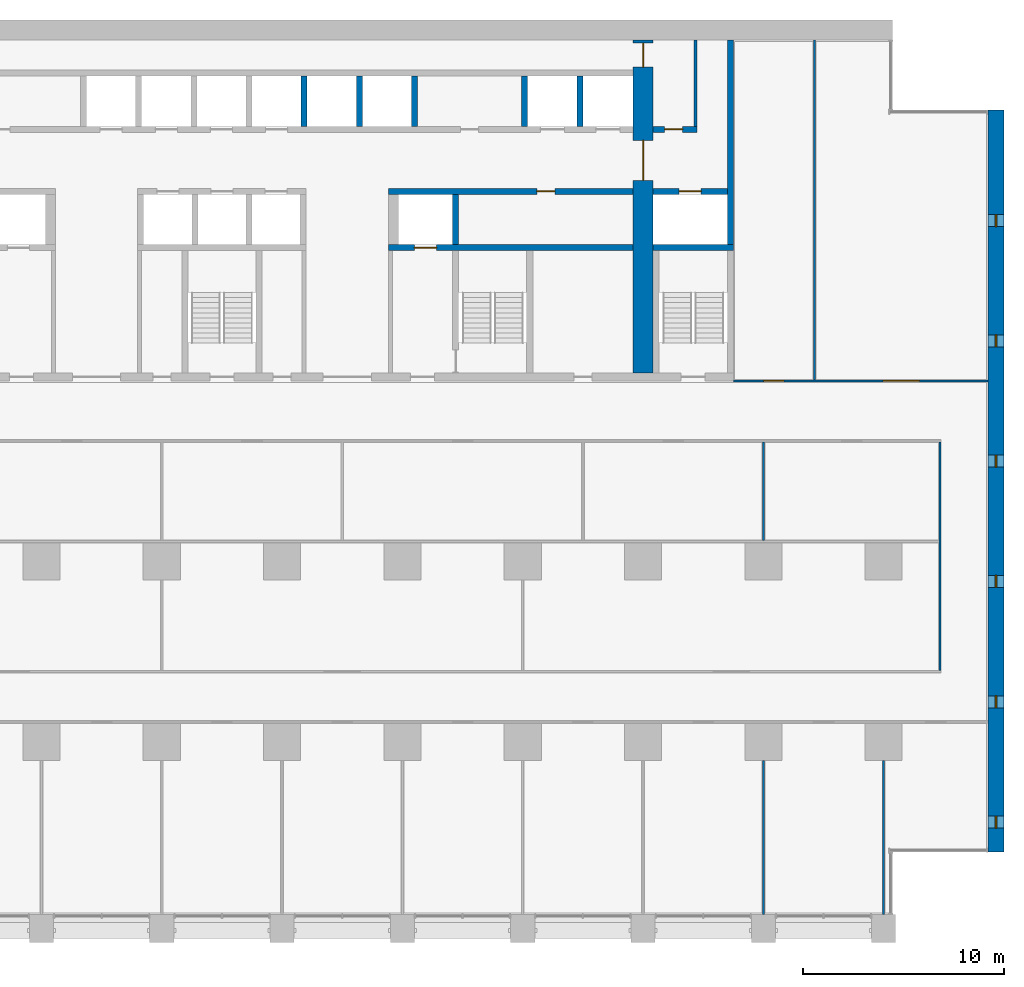
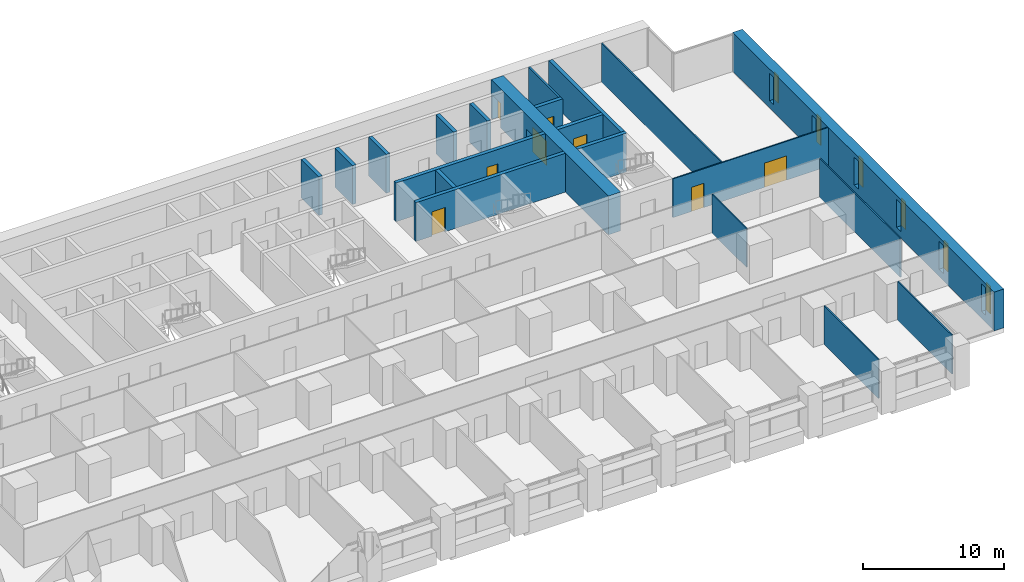
# One storey, part 13 of 18: 21 walls, 8 doors, 6 windows, 14 openings.
"""IFC4 building model written with IfcOpenShell, lengths in metres."""

from ifc_helpers import new_model, si_unit, direction, frame, frame_2d, origin, place, context, subcontext, project, spatial, rectangle, extrude, material, layer, layer_set, type_object, element, fill, save


model = new_model("IFC4")

# Units and contexts
model_context = context("Model", 3, precision=1e-05, world=origin(), true_north=direction((0.0, 1.0)))
body_context = subcontext(model_context, "Body", "Model", "MODEL_VIEW")
ifc_project = project(units=[si_unit("LENGTHUNIT", "METRE"), si_unit("AREAUNIT", "SQUARE_METRE"), si_unit("VOLUMEUNIT", "CUBIC_METRE"), si_unit("PLANEANGLEUNIT", "RADIAN"), si_unit("MASSUNIT", "GRAM", prefix="KILO")], contexts=[model_context])

# Site, building, storey
site_placement = place(None, origin())
site = spatial("IfcSite", under=ifc_project, at=site_placement, CompositionType="ELEMENT")
building_placement = place(site_placement, origin())
building = spatial("IfcBuilding", under=site, at=building_placement, Name="Calvaro Tower", CompositionType="ELEMENT")
storey_placement = place(building_placement, frame((0.0, 0.0, 26.25)))
storey = spatial("IfcBuildingStorey", under=building, at=storey_placement, Name="L05", CompositionType="ELEMENT", Elevation=26.25)

# Wall
ifc_material_1 = material(Name="Blockwork partition", Category="masonry")
ifc_layer_1 = layer(ifc_material_1, 0.14990234375)
ifc_layer_set_1 = layer_set([ifc_layer_1], Name="Blockwork partition")
wall_type_1 = type_object("IfcWallType", Name="Core partition 150 REI 120", PredefinedType="PARTITIONING", material=ifc_layer_set_1)
wall_1_placement = place(storey_placement, frame((62.625, 40.699951171875, 0.0), z_axis=(0.0, 0.0, 1.0), x_axis=(0.0, 1.0, 0.0)))
element("IfcWall", 1, at=wall_1_placement, inside=storey, type_object=wall_type_1, Name="Core partition", PredefinedType="PARTITIONING", context=body_context, shape_type="SweptSolid", body=[
    extrude(rectangle(XDim=4.300048828125, YDim=0.14990234375, at=frame_2d((2.14990234375, 0.0))), origin(), (0.0, 0.0, 1.0), 3.35009765625),
])

# Wall, opening, door
ifc_material_2 = material(Name="Blockwork partition", Category="masonry")
ifc_layer_2 = layer(ifc_material_2, 0.300048828125)
ifc_layer_set_2 = layer_set([ifc_layer_2], Name="Blockwork partition")
wall_type_2 = type_object("IfcWallType", Name="Core partition 300 REI 120", PredefinedType="PARTITIONING", material=ifc_layer_set_2)
wall_2_placement = place(storey_placement, frame((60.5, 40.550048828125, 0.0), z_axis=(0.0, 0.0, 1.0), x_axis=(1.0, 0.0, 0.0)))
wall_2 = element("IfcWall", 2, at=wall_2_placement, inside=storey, type_object=wall_type_2, Name="Core partition", PredefinedType="PARTITIONING", context=body_context, shape_type="SweptSolid", body=[
    extrude(rectangle(XDim=2.199951171875, YDim=0.300048828125, at=frame_2d((1.10009765625, 0.0))), origin(), (0.0, 0.0, 1.0), 3.35009765625),
])
opening_1_placement = place(wall_2_placement, frame((0.574951171875, 0.0, 0.0)))
opening_1 = element("IfcOpeningElement", 3, at=opening_1_placement, cuts=wall_2, Name="Opening RD9C", PredefinedType="OPENING", context=body_context, shape_type="SweptSolid", body=[
    extrude(rectangle(XDim=0.89990234375, YDim=2.10009765625, at=frame_2d((0.449951171875, 1.050048828125))), frame((0.0, 0.159912109375, 0.0), z_axis=(0.0, -1.0, 0.0), x_axis=(1.0, 0.0, 0.0)), (0.0, 0.0, 1.0), 0.320068359375),
])
ifc_material_3 = material(Name="Steel door set", Category="steel")
door_type_1 = type_object("IfcDoorType", Name="Room door 900 FD30", OperationType="SINGLE_SWING_LEFT", PredefinedType="DOOR", material=ifc_material_3)
door_1_placement = place(opening_1_placement, origin())
door_1 = element("IfcDoor", 4, at=door_1_placement, inside=storey, type_object=door_type_1, Name="Room door", OperationType="SINGLE_SWING_LEFT", OverallHeight=2.10009765625, OverallWidth=0.89990234375, PredefinedType="DOOR", context=body_context, shape_type="SweptSolid", body=[
    extrude(rectangle(XDim=0.89990234375, YDim=2.10009765625, at=frame_2d((0.449951171875, 1.050048828125))), frame((0.0, 0.02490234375, 0.0), z_axis=(0.0, -1.0, 0.0), x_axis=(1.0, 0.0, 0.0)), (0.0, 0.0, 1.0), 0.050048828125),
])
fill(opening_1, door_1)

# Wall, openings, doors
ifc_material_4 = material(Name="Concrete C80/95", Category="concrete")
ifc_layer_3 = layer(ifc_material_4, 1.0)
ifc_layer_set_3 = layer_set([ifc_layer_3], Name="Concrete C80/95")
wall_type_3 = type_object("IfcWallType", Name="Core wall C80/95 1000", PredefinedType="SHEAR", material=ifc_layer_set_3)
wall_3_placement = place(storey_placement, frame((60.0, 28.39990234375, 0.0), z_axis=(0.0, 0.0, 1.0), x_axis=(0.0, 1.0, 0.0)))
wall_3 = element("IfcWall", 5, at=wall_3_placement, inside=storey, type_object=wall_type_3, Name="Core wall, cross shear wall", PredefinedType="SHEAR", context=body_context, shape_type="SweptSolid", body=[
    extrude(rectangle(XDim=16.60009765625, YDim=1.0, at=frame_2d((8.300048828125, 0.0))), origin(), (0.0, 0.0, 1.0), 3.35009765625),
])
opening_2_placement = place(wall_3_placement, frame((9.60009765625, 0.0, 0.0)))
opening_2 = element("IfcOpeningElement", 6, at=opening_2_placement, cuts=wall_3, Name="Opening DD20D", PredefinedType="OPENING", context=body_context, shape_type="SweptSolid", body=[
    extrude(rectangle(XDim=2.0, YDim=2.10009765625, at=frame_2d((1.0, 1.050048828125))), frame((0.0, 0.510009765625, 0.0), z_axis=(0.0, -1.0, 0.0), x_axis=(1.0, 0.0, 0.0)), (0.0, 0.0, 1.0), 1.02001953125),
])
opening_3_placement = place(wall_3_placement, frame((15.25, 0.0, 0.0)))
opening_3 = element("IfcOpeningElement", 7, at=opening_3_placement, cuts=wall_3, Name="Opening FD12C", PredefinedType="OPENING", context=body_context, shape_type="SweptSolid", body=[
    extrude(rectangle(XDim=1.199951171875, YDim=2.10009765625, at=frame_2d((0.60009765625, 1.050048828125))), frame((0.0, 0.510009765625, 0.0), z_axis=(0.0, -1.0, 0.0), x_axis=(1.0, 0.0, 0.0)), (0.0, 0.0, 1.0), 1.02001953125),
])
ifc_material_5 = material(Name="Steel door set", Category="steel")
door_type_2 = type_object("IfcDoorType", Name="Fire door 1200 FD30", OperationType="SINGLE_SWING_LEFT", PredefinedType="DOOR", material=ifc_material_5)
door_2_placement = place(opening_3_placement, origin())
door_2 = element("IfcDoor", 8, at=door_2_placement, inside=storey, type_object=door_type_2, Name="Fire door", OperationType="SINGLE_SWING_LEFT", OverallHeight=2.10009765625, OverallWidth=1.199951171875, PredefinedType="DOOR", context=body_context, shape_type="SweptSolid", body=[
    extrude(rectangle(XDim=1.199951171875, YDim=2.10009765625, at=frame_2d((0.60009765625, 1.050048828125))), frame((0.0, 0.02490234375, 0.0), z_axis=(0.0, -1.0, 0.0), x_axis=(1.0, 0.0, 0.0)), (0.0, 0.0, 1.0), 0.050048828125),
])
fill(opening_3, door_2)
ifc_material_6 = material(Name="Steel door set", Category="steel")
door_type_3 = type_object("IfcDoorType", Name="Lobby double door 2000 FD30S", OperationType="DOUBLE_DOOR_SINGLE_SWING", PredefinedType="DOOR", material=ifc_material_6)
door_3_placement = place(opening_2_placement, origin())
door_3 = element("IfcDoor", 9, at=door_3_placement, inside=storey, type_object=door_type_3, Name="Lobby double door", OperationType="DOUBLE_DOOR_SINGLE_SWING", OverallHeight=2.10009765625, OverallWidth=2.0, PredefinedType="DOOR", context=body_context, shape_type="SweptSolid", body=[
    extrude(rectangle(XDim=2.0, YDim=2.10009765625, at=frame_2d((1.0, 1.050048828125))), frame((0.0, 0.02490234375, 0.0), z_axis=(0.0, -1.0, 0.0), x_axis=(1.0, 0.0, 0.0)), (0.0, 0.0, 1.0), 0.050048828125),
])
fill(opening_2, door_3)

# Wall
ifc_material_7 = material(Name="Concrete C80/95", Category="concrete")
ifc_layer_4 = layer(ifc_material_7, 0.300048828125)
ifc_layer_set_4 = layer_set([ifc_layer_4], Name="Concrete C80/95")
wall_type_4 = type_object("IfcWallType", Name="Core wall C80/95 300", PredefinedType="SHEAR", material=ifc_layer_set_4)
wall_4_placement = place(storey_placement, frame((64.35009765625, 34.800048828125, 0.0), z_axis=(0.0, 0.0, 1.0), x_axis=(0.0, 1.0, 0.0)))
element("IfcWall", 10, at=wall_4_placement, inside=storey, type_object=wall_type_4, Name="Core wall, boundary", PredefinedType="SHEAR", context=body_context, shape_type="SweptSolid", body=[
    extrude(rectangle(XDim=10.199951171875, YDim=0.300048828125, at=frame_2d((5.10009765625, 0.0))), origin(), (0.0, 0.0, 1.0), 3.35009765625),
])

# Wall, opening, door
wall_5_placement = place(storey_placement, frame((47.300048828125, 34.64990234375, 0.0), z_axis=(0.0, 0.0, 1.0), x_axis=(1.0, 0.0, 0.0)))
wall_5 = element("IfcWall", 11, at=wall_5_placement, inside=storey, type_object=wall_type_4, Name="Core wall, lift shaft", PredefinedType="SHEAR", context=body_context, shape_type="SweptSolid", body=[
    extrude(rectangle(XDim=12.199951171875, YDim=0.300048828125, at=frame_2d((6.10009765625, 0.0))), origin(), (0.0, 0.0, 1.0), 3.35009765625),
])
opening_4_placement = place(wall_5_placement, frame((1.300048828125, 0.0, 0.0)))
opening_4 = element("IfcOpeningElement", 12, at=opening_4_placement, cuts=wall_5, Name="Opening FF2", PredefinedType="OPENING", context=body_context, shape_type="SweptSolid", body=[
    extrude(rectangle(XDim=1.10009765625, YDim=2.10009765625, at=frame_2d((0.550048828125, 1.050048828125))), frame((0.0, 0.159912109375, 0.0), z_axis=(0.0, -1.0, 0.0), x_axis=(1.0, 0.0, 0.0)), (0.0, 0.0, 1.0), 0.320068359375),
])
ifc_material_8 = material(Name="Stainless steel", Category="steel")
door_type_4 = type_object("IfcDoorType", Name="Landing door 1100 E 60", OperationType="SLIDING_TO_LEFT", PredefinedType="DOOR", material=ifc_material_8)
door_4_placement = place(opening_4_placement, origin())
door_4 = element("IfcDoor", 13, at=door_4_placement, inside=storey, type_object=door_type_4, Name="Landing door FF2", OperationType="SLIDING_TO_LEFT", OverallHeight=2.10009765625, OverallWidth=1.10009765625, PredefinedType="DOOR", context=body_context, shape_type="SweptSolid", body=[
    extrude(rectangle(XDim=1.10009765625, YDim=2.10009765625, at=frame_2d((0.550048828125, 1.050048828125))), frame((0.0, 0.02490234375, 0.0), z_axis=(0.0, -1.0, 0.0), x_axis=(1.0, 0.0, 0.0)), (0.0, 0.0, 1.0), 0.050048828125),
])
fill(opening_4, door_4)

# Wall
wall_6_placement = place(storey_placement, frame((60.5, 34.64990234375, 0.0), z_axis=(0.0, 0.0, 1.0), x_axis=(1.0, 0.0, 0.0)))
element("IfcWall", 14, at=wall_6_placement, inside=storey, type_object=wall_type_4, Name="Core wall, lift shaft", PredefinedType="SHEAR", context=body_context, shape_type="SweptSolid", body=[
    extrude(rectangle(XDim=4.0, YDim=0.300048828125, at=frame_2d((2.0, 0.0))), origin(), (0.0, 0.0, 1.0), 3.35009765625),
])

# Wall, opening, door
wall_7_placement = place(storey_placement, frame((59.5, 37.449951171875, 0.0), z_axis=(0.0, 0.0, 1.0), x_axis=(-1.0, 0.0, 0.0)))
wall_7 = element("IfcWall", 15, at=wall_7_placement, inside=storey, type_object=wall_type_4, Name="Core wall, bay", PredefinedType="SHEAR", context=body_context, shape_type="SweptSolid", body=[
    extrude(rectangle(XDim=12.199951171875, YDim=0.300048828125, at=frame_2d((6.10009765625, 0.0))), origin(), (0.0, 0.0, 1.0), 3.35009765625),
])
opening_5_placement = place(wall_7_placement, frame((3.89990234375, 0.0, 0.0)))
opening_5 = element("IfcOpeningElement", 16, at=opening_5_placement, cuts=wall_7, Name="Opening RD9E", PredefinedType="OPENING", context=body_context, shape_type="SweptSolid", body=[
    extrude(rectangle(XDim=0.89990234375, YDim=2.10009765625, at=frame_2d((0.449951171875, 1.050048828125))), frame((0.0, 0.159912109375, 0.0), z_axis=(0.0, -1.0, 0.0), x_axis=(1.0, 0.0, 0.0)), (0.0, 0.0, 1.0), 0.320068359375),
])
ifc_material_9 = material(Name="Steel door set", Category="steel")
door_type_5 = type_object("IfcDoorType", Name="Room door 900 FD60", OperationType="SINGLE_SWING_LEFT", PredefinedType="DOOR", material=ifc_material_9)
door_5_placement = place(opening_5_placement, origin())
door_5 = element("IfcDoor", 17, at=door_5_placement, inside=storey, type_object=door_type_5, Name="Room door", OperationType="SINGLE_SWING_RIGHT", OverallHeight=2.10009765625, OverallWidth=0.89990234375, PredefinedType="DOOR", context=body_context, shape_type="SweptSolid", body=[
    extrude(rectangle(XDim=0.89990234375, YDim=2.10009765625, at=frame_2d((0.449951171875, 1.050048828125))), frame((0.0, 0.02490234375, 0.0), z_axis=(0.0, -1.0, 0.0), x_axis=(1.0, 0.0, 0.0)), (0.0, 0.0, 1.0), 0.050048828125),
])
fill(opening_5, door_5)

wall_8_placement = place(storey_placement, frame((60.5, 37.449951171875, 0.0), z_axis=(0.0, 0.0, 1.0), x_axis=(1.0, 0.0, 0.0)))
wall_8 = element("IfcWall", 18, at=wall_8_placement, inside=storey, type_object=wall_type_4, Name="Core wall, lift shaft", PredefinedType="SHEAR", context=body_context, shape_type="SweptSolid", body=[
    extrude(rectangle(XDim=3.699951171875, YDim=0.300048828125, at=frame_2d((1.85009765625, 0.0))), origin(), (0.0, 0.0, 1.0), 3.35009765625),
])
opening_6_placement = place(wall_8_placement, frame((1.300048828125, 0.0, 0.0)))
opening_6 = element("IfcOpeningElement", 19, at=opening_6_placement, cuts=wall_8, Name="Opening FF3", PredefinedType="OPENING", context=body_context, shape_type="SweptSolid", body=[
    extrude(rectangle(XDim=1.10009765625, YDim=2.10009765625, at=frame_2d((0.550048828125, 1.050048828125))), frame((0.0, 0.159912109375, 0.0), z_axis=(0.0, -1.0, 0.0), x_axis=(1.0, 0.0, 0.0)), (0.0, 0.0, 1.0), 0.320068359375),
])
door_6_placement = place(opening_6_placement, origin())
door_6 = element("IfcDoor", 20, at=door_6_placement, inside=storey, type_object=door_type_4, Name="Landing door FF3", OperationType="SLIDING_TO_LEFT", OverallHeight=2.10009765625, OverallWidth=1.10009765625, PredefinedType="DOOR", context=body_context, shape_type="SweptSolid", body=[
    extrude(rectangle(XDim=1.10009765625, YDim=2.10009765625, at=frame_2d((0.550048828125, 1.050048828125))), frame((0.0, 0.02490234375, 0.0), z_axis=(0.0, -1.0, 0.0), x_axis=(1.0, 0.0, 0.0)), (0.0, 0.0, 1.0), 0.050048828125),
])
fill(opening_6, door_6)

# Walls
for number, where, z_axis, x_axis, name in (
    (21, (50.64990234375, 34.800048828125, 0.0), (0.0, 0.0, 1.0), (0.0, 1.0, 0.0), "Core wall, lift shaft"),
    (22, (43.10009765625, 40.699951171875, 0.0), (0.0, 0.0, 1.0), (0.0, 1.0, 0.0), "Core wall, lift shaft"),
    (23, (45.85009765625, 40.699951171875, 0.0), (0.0, 0.0, 1.0), (0.0, 1.0, 0.0), "Core wall, lift shaft"),
    (24, (48.60009765625, 40.699951171875, 0.0), (0.0, 0.0, 1.0), (0.0, 1.0, 0.0), "Core wall, lift shaft"),
    (25, (54.10009765625, 40.699951171875, 0.0), (0.0, 0.0, 1.0), (0.0, 1.0, 0.0), "Core wall, lift shaft"),
    (26, (56.85009765625, 40.699951171875, 0.0), (0.0, 0.0, 1.0), (0.0, 1.0, 0.0), "Core wall, lift shaft"),
):
    element("IfcWall", number, at=place(storey_placement, frame(where, z_axis=z_axis, x_axis=x_axis)), inside=storey, type_object=wall_type_4, Name=name, PredefinedType="SHEAR", context=body_context, shape_type="SweptSolid", body=[
        extrude(rectangle(XDim=2.5, YDim=0.300048828125, at=frame_2d((1.25, 0.0))), origin(), (0.0, 0.0, 1.0), 3.35009765625),
    ])

# Wall, openings, windows
ifc_material_10 = material(Name="Concrete C80/95", Category="concrete")
ifc_layer_5 = layer(ifc_material_10, 0.800048828125)
ifc_layer_set_5 = layer_set([ifc_layer_5], Name="Concrete C80/95")
wall_type_5 = type_object("IfcWallType", Name="End wall 800 C80/95", PredefinedType="SHEAR", material=ifc_layer_set_5)
wall_9_placement = place(storey_placement, frame((77.60009765625, 4.5, 0.0), z_axis=(0.0, 0.0, 1.0), x_axis=(0.0, 1.0, 0.0)))
wall_9 = element("IfcWall", 27, at=wall_9_placement, inside=storey, type_object=wall_type_5, Name="End shear wall", PredefinedType="SHEAR", context=body_context, shape_type="SweptSolid", body=[
    extrude(rectangle(XDim=37.0, YDim=0.800048828125, at=frame_2d((18.5, 0.0))), origin(), (0.0, 0.0, 1.0), 3.35009765625),
])
opening_7_placement = place(wall_9_placement, frame((1.199951171875, 0.0, 0.60009765625)))
opening_7 = element("IfcOpeningElement", 28, at=opening_7_placement, cuts=wall_9, Name="Opening WE01", PredefinedType="OPENING", context=body_context, shape_type="SweptSolid", body=[
    extrude(rectangle(XDim=0.60009765625, YDim=2.39990234375, at=frame_2d((0.300048828125, 1.199951171875))), frame((0.0, 0.409912109375, 0.0), z_axis=(0.0, -1.0, 0.0), x_axis=(1.0, 0.0, 0.0)), (0.0, 0.0, 1.0), 0.820068359375),
])
opening_8_placement = place(wall_9_placement, frame((7.199951171875, 0.0, 0.60009765625)))
opening_8 = element("IfcOpeningElement", 29, at=opening_8_placement, cuts=wall_9, Name="Opening WE02", PredefinedType="OPENING", context=body_context, shape_type="SweptSolid", body=[
    extrude(rectangle(XDim=0.60009765625, YDim=2.39990234375, at=frame_2d((0.300048828125, 1.199951171875))), frame((0.0, 0.409912109375, 0.0), z_axis=(0.0, -1.0, 0.0), x_axis=(1.0, 0.0, 0.0)), (0.0, 0.0, 1.0), 0.820068359375),
])
opening_9_placement = place(wall_9_placement, frame((13.199951171875, 0.0, 0.60009765625)))
opening_9 = element("IfcOpeningElement", 30, at=opening_9_placement, cuts=wall_9, Name="Opening WE03", PredefinedType="OPENING", context=body_context, shape_type="SweptSolid", body=[
    extrude(rectangle(XDim=0.60009765625, YDim=2.39990234375, at=frame_2d((0.300048828125, 1.199951171875))), frame((0.0, 0.409912109375, 0.0), z_axis=(0.0, -1.0, 0.0), x_axis=(1.0, 0.0, 0.0)), (0.0, 0.0, 1.0), 0.820068359375),
])
opening_10_placement = place(wall_9_placement, frame((19.199951171875, 0.0, 0.60009765625)))
opening_10 = element("IfcOpeningElement", 31, at=opening_10_placement, cuts=wall_9, Name="Opening WE04", PredefinedType="OPENING", context=body_context, shape_type="SweptSolid", body=[
    extrude(rectangle(XDim=0.60009765625, YDim=2.39990234375, at=frame_2d((0.300048828125, 1.199951171875))), frame((0.0, 0.409912109375, 0.0), z_axis=(0.0, -1.0, 0.0), x_axis=(1.0, 0.0, 0.0)), (0.0, 0.0, 1.0), 0.820068359375),
])
opening_11_placement = place(wall_9_placement, frame((25.199951171875, 0.0, 0.60009765625)))
opening_11 = element("IfcOpeningElement", 32, at=opening_11_placement, cuts=wall_9, Name="Opening WE05", PredefinedType="OPENING", context=body_context, shape_type="SweptSolid", body=[
    extrude(rectangle(XDim=0.60009765625, YDim=2.39990234375, at=frame_2d((0.300048828125, 1.199951171875))), frame((0.0, 0.409912109375, 0.0), z_axis=(0.0, -1.0, 0.0), x_axis=(1.0, 0.0, 0.0)), (0.0, 0.0, 1.0), 0.820068359375),
])
opening_12_placement = place(wall_9_placement, frame((31.199951171875, 0.0, 0.60009765625)))
opening_12 = element("IfcOpeningElement", 33, at=opening_12_placement, cuts=wall_9, Name="Opening WE06", PredefinedType="OPENING", context=body_context, shape_type="SweptSolid", body=[
    extrude(rectangle(XDim=0.60009765625, YDim=2.39990234375, at=frame_2d((0.300048828125, 1.199951171875))), frame((0.0, 0.409912109375, 0.0), z_axis=(0.0, -1.0, 0.0), x_axis=(1.0, 0.0, 0.0)), (0.0, 0.0, 1.0), 0.820068359375),
])
ifc_material_11 = material(Name="Glass", Category="glass")
window_type = type_object("IfcWindowType", Name="Slit window 600 x 2400", PartitioningType="SINGLE_PANEL", PredefinedType="WINDOW", material=ifc_material_11)
window_1_placement = place(opening_7_placement, origin())
window_1 = element("IfcWindow", 34, at=window_1_placement, inside=storey, type_object=window_type, Name="Window WE01", OverallHeight=2.39990234375, OverallWidth=0.60009765625, PartitioningType="SINGLE_PANEL", PredefinedType="WINDOW", context=body_context, shape_type="SweptSolid", body=[
    extrude(rectangle(XDim=0.60009765625, YDim=2.39990234375, at=frame_2d((0.300048828125, 1.199951171875))), frame((0.0, 0.030029296875, 0.0), z_axis=(0.0, -1.0, 0.0), x_axis=(1.0, 0.0, 0.0)), (0.0, 0.0, 1.0), 0.06005859375),
])
fill(opening_7, window_1)
window_2_placement = place(opening_8_placement, origin())
window_2 = element("IfcWindow", 35, at=window_2_placement, inside=storey, type_object=window_type, Name="Window WE02", OverallHeight=2.39990234375, OverallWidth=0.60009765625, PartitioningType="SINGLE_PANEL", PredefinedType="WINDOW", context=body_context, shape_type="SweptSolid", body=[
    extrude(rectangle(XDim=0.60009765625, YDim=2.39990234375, at=frame_2d((0.300048828125, 1.199951171875))), frame((0.0, 0.030029296875, 0.0), z_axis=(0.0, -1.0, 0.0), x_axis=(1.0, 0.0, 0.0)), (0.0, 0.0, 1.0), 0.06005859375),
])
fill(opening_8, window_2)
window_3_placement = place(opening_9_placement, origin())
window_3 = element("IfcWindow", 36, at=window_3_placement, inside=storey, type_object=window_type, Name="Window WE03", OverallHeight=2.39990234375, OverallWidth=0.60009765625, PartitioningType="SINGLE_PANEL", PredefinedType="WINDOW", context=body_context, shape_type="SweptSolid", body=[
    extrude(rectangle(XDim=0.60009765625, YDim=2.39990234375, at=frame_2d((0.300048828125, 1.199951171875))), frame((0.0, 0.030029296875, 0.0), z_axis=(0.0, -1.0, 0.0), x_axis=(1.0, 0.0, 0.0)), (0.0, 0.0, 1.0), 0.06005859375),
])
fill(opening_9, window_3)
window_4_placement = place(opening_10_placement, origin())
window_4 = element("IfcWindow", 37, at=window_4_placement, inside=storey, type_object=window_type, Name="Window WE04", OverallHeight=2.39990234375, OverallWidth=0.60009765625, PartitioningType="SINGLE_PANEL", PredefinedType="WINDOW", context=body_context, shape_type="SweptSolid", body=[
    extrude(rectangle(XDim=0.60009765625, YDim=2.39990234375, at=frame_2d((0.300048828125, 1.199951171875))), frame((0.0, 0.030029296875, 0.0), z_axis=(0.0, -1.0, 0.0), x_axis=(1.0, 0.0, 0.0)), (0.0, 0.0, 1.0), 0.06005859375),
])
fill(opening_10, window_4)
window_5_placement = place(opening_11_placement, origin())
window_5 = element("IfcWindow", 38, at=window_5_placement, inside=storey, type_object=window_type, Name="Window WE05", OverallHeight=2.39990234375, OverallWidth=0.60009765625, PartitioningType="SINGLE_PANEL", PredefinedType="WINDOW", context=body_context, shape_type="SweptSolid", body=[
    extrude(rectangle(XDim=0.60009765625, YDim=2.39990234375, at=frame_2d((0.300048828125, 1.199951171875))), frame((0.0, 0.030029296875, 0.0), z_axis=(0.0, -1.0, 0.0), x_axis=(1.0, 0.0, 0.0)), (0.0, 0.0, 1.0), 0.06005859375),
])
fill(opening_11, window_5)
window_6_placement = place(opening_12_placement, origin())
window_6 = element("IfcWindow", 39, at=window_6_placement, inside=storey, type_object=window_type, Name="Window WE06", OverallHeight=2.39990234375, OverallWidth=0.60009765625, PartitioningType="SINGLE_PANEL", PredefinedType="WINDOW", context=body_context, shape_type="SweptSolid", body=[
    extrude(rectangle(XDim=0.60009765625, YDim=2.39990234375, at=frame_2d((0.300048828125, 1.199951171875))), frame((0.0, 0.030029296875, 0.0), z_axis=(0.0, -1.0, 0.0), x_axis=(1.0, 0.0, 0.0)), (0.0, 0.0, 1.0), 0.06005859375),
])
fill(opening_12, window_6)

# Walls
ifc_material_12 = material(Name="Plasterboard on steel studs", Category="steel")
ifc_layer_6 = layer(ifc_material_12, 0.10009765625)
ifc_layer_set_6 = layer_set([ifc_layer_6], Name="Plasterboard on steel studs")
wall_type_6 = type_object("IfcWallType", Name="Partition 100", PredefinedType="PARTITIONING", material=ifc_layer_set_6)
wall_10_placement = place(storey_placement, frame((66.0, 1.39990234375, 0.0), z_axis=(0.0, 0.0, 1.0), x_axis=(0.0, 1.0, 0.0)))
element("IfcWall", 40, at=wall_10_placement, inside=storey, type_object=wall_type_6, Name="Partition T07.W026", PredefinedType="PARTITIONING", context=body_context, shape_type="SweptSolid", body=[
    extrude(rectangle(XDim=7.675048828125, YDim=0.10009765625, at=frame_2d((3.83740234375, 0.0))), origin(), (0.0, 0.0, 1.0), 3.35009765625),
])
wall_11_placement = place(storey_placement, frame((66.0, 20.050048828125, 0.0), z_axis=(0.0, 0.0, 1.0), x_axis=(0.0, 1.0, 0.0)))
element("IfcWall", 41, at=wall_11_placement, inside=storey, type_object=wall_type_6, Name="Partition T07.W027", PredefinedType="PARTITIONING", context=body_context, shape_type="SweptSolid", body=[
    extrude(rectangle(XDim=4.89990234375, YDim=0.10009765625, at=frame_2d((2.449951171875, 0.0))), origin(), (0.0, 0.0, 1.0), 3.35009765625),
])
wall_12_placement = place(storey_placement, frame((72.0, 1.39990234375, 0.0), z_axis=(0.0, 0.0, 1.0), x_axis=(0.0, 1.0, 0.0)))
element("IfcWall", 42, at=wall_12_placement, inside=storey, type_object=wall_type_6, Name="Partition T07.W029", PredefinedType="PARTITIONING", context=body_context, shape_type="SweptSolid", body=[
    extrude(rectangle(XDim=7.675048828125, YDim=0.10009765625, at=frame_2d((3.83740234375, 0.0))), origin(), (0.0, 0.0, 1.0), 3.35009765625),
])
wall_13_placement = place(storey_placement, frame((74.800048828125, 13.550048828125, 0.0), z_axis=(0.0, 0.0, 1.0), x_axis=(0.0, 1.0, 0.0)))
element("IfcWall", 43, at=wall_13_placement, inside=storey, type_object=wall_type_6, Name="Partition T07.W030", PredefinedType="PARTITIONING", context=body_context, shape_type="SweptSolid", body=[
    extrude(rectangle(XDim=11.39990234375, YDim=0.10009765625, at=frame_2d((5.699951171875, 0.0))), origin(), (0.0, 0.0, 1.0), 3.35009765625),
])

# Wall, openings, doors
ifc_material_13 = material(Name="Plasterboard on steel studs", Category="steel")
ifc_layer_7 = layer(ifc_material_13, 0.10009765625)
ifc_layer_set_7 = layer_set([ifc_layer_7], Name="Plasterboard on steel studs")
wall_type_7 = type_object("IfcWallType", Name="Partition 100 REI 120", PredefinedType="PARTITIONING", material=ifc_layer_set_7)
wall_14_placement = place(storey_placement, frame((64.5, 28.0, 0.0), z_axis=(0.0, 0.0, 1.0), x_axis=(1.0, 0.0, 0.0)))
wall_14 = element("IfcWall", 44, at=wall_14_placement, inside=storey, type_object=wall_type_7, Name="Partition T07.W006", PredefinedType="PARTITIONING", context=body_context, shape_type="SweptSolid", body=[
    extrude(rectangle(XDim=12.699951171875, YDim=0.10009765625, at=frame_2d((6.35009765625, 0.0))), origin(), (0.0, 0.0, 1.0), 3.35009765625),
])
opening_13_placement = place(wall_14_placement, frame((7.47509765625, 0.0, 0.0)))
opening_13 = element("IfcOpeningElement", 45, at=opening_13_placement, cuts=wall_14, Name="Opening T07.026", PredefinedType="OPENING", context=body_context, shape_type="SweptSolid", body=[
    extrude(rectangle(XDim=1.800048828125, YDim=2.10009765625, at=frame_2d((0.89990234375, 1.050048828125))), frame((0.0, 0.06005859375, 0.0), z_axis=(0.0, -1.0, 0.0), x_axis=(1.0, 0.0, 0.0)), (0.0, 0.0, 1.0), 0.1201171875),
])
opening_14_placement = place(wall_14_placement, frame((1.52490234375, 0.0, 0.0)))
opening_14 = element("IfcOpeningElement", 46, at=opening_14_placement, cuts=wall_14, Name="Opening T07.027", PredefinedType="OPENING", context=body_context, shape_type="SweptSolid", body=[
    extrude(rectangle(XDim=1.0, YDim=2.10009765625, at=frame_2d((0.5, 1.050048828125))), frame((0.0, 0.06005859375, 0.0), z_axis=(0.0, -1.0, 0.0), x_axis=(1.0, 0.0, 0.0)), (0.0, 0.0, 1.0), 0.1201171875),
])
ifc_material_14 = material(Name="Timber", Category="wood")
door_type_6 = type_object("IfcDoorType", Name="Internal double door 1800 x 2100", OperationType="DOUBLE_DOOR_SINGLE_SWING", PredefinedType="DOOR", material=ifc_material_14)
door_7_placement = place(opening_13_placement, origin())
door_7 = element("IfcDoor", 47, at=door_7_placement, inside=storey, type_object=door_type_6, Name="Door T07.026", OperationType="DOUBLE_DOOR_SINGLE_SWING", OverallHeight=2.10009765625, OverallWidth=1.800048828125, PredefinedType="DOOR", context=body_context, shape_type="SweptSolid", body=[
    extrude(rectangle(XDim=1.800048828125, YDim=2.10009765625, at=frame_2d((0.89990234375, 1.050048828125))), frame((0.0, 0.02490234375, 0.0), z_axis=(0.0, -1.0, 0.0), x_axis=(1.0, 0.0, 0.0)), (0.0, 0.0, 1.0), 0.050048828125),
])
fill(opening_13, door_7)
ifc_material_15 = material(Name="Timber", Category="wood")
door_type_7 = type_object("IfcDoorType", Name="Internal single door 1000 x 2100 FD60", OperationType="SINGLE_SWING_LEFT", PredefinedType="DOOR", material=ifc_material_15)
door_8_placement = place(opening_14_placement, origin())
door_8 = element("IfcDoor", 48, at=door_8_placement, inside=storey, type_object=door_type_7, Name="Door T07.027", OperationType="SINGLE_SWING_LEFT", OverallHeight=2.10009765625, OverallWidth=1.0, PredefinedType="DOOR", context=body_context, shape_type="SweptSolid", body=[
    extrude(rectangle(XDim=1.0, YDim=2.10009765625, at=frame_2d((0.5, 1.050048828125))), frame((0.0, 0.02490234375, 0.0), z_axis=(0.0, -1.0, 0.0), x_axis=(1.0, 0.0, 0.0)), (0.0, 0.0, 1.0), 0.050048828125),
])
fill(opening_14, door_8)

# Wall
wall_15_placement = place(storey_placement, frame((68.550048828125, 28.050048828125, 0.0), z_axis=(0.0, 0.0, 1.0), x_axis=(0.0, 1.0, 0.0)))
element("IfcWall", 49, at=wall_15_placement, inside=storey, type_object=wall_type_7, Name="Partition T07.W028", PredefinedType="PARTITIONING", context=body_context, shape_type="SweptSolid", body=[
    extrude(rectangle(XDim=16.949951171875, YDim=0.10009765625, at=frame_2d((8.47509765625, 0.0))), origin(), (0.0, 0.0, 1.0), 3.35009765625),
])

save(model, "model.ifc")
